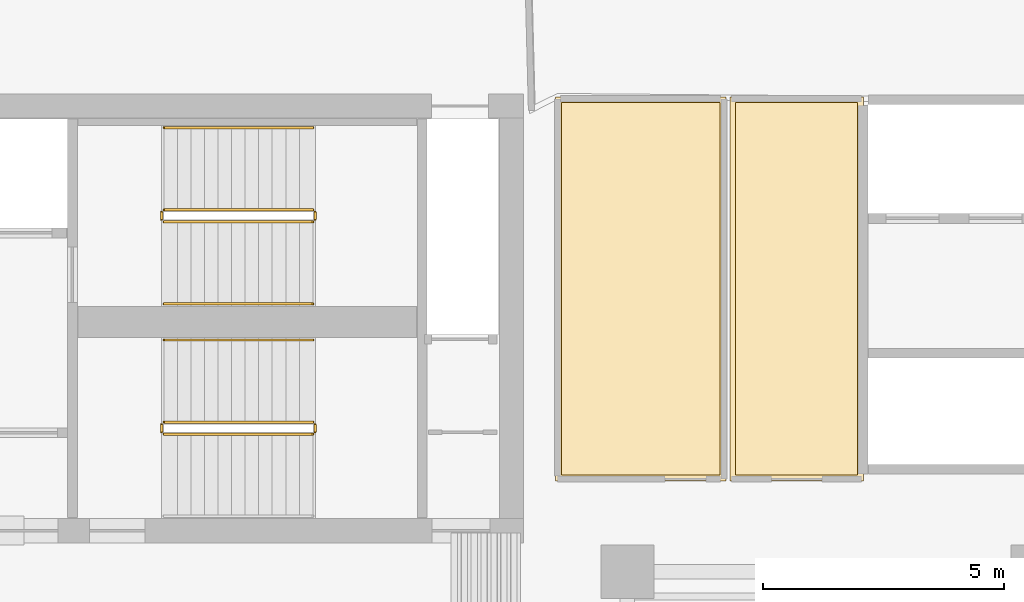
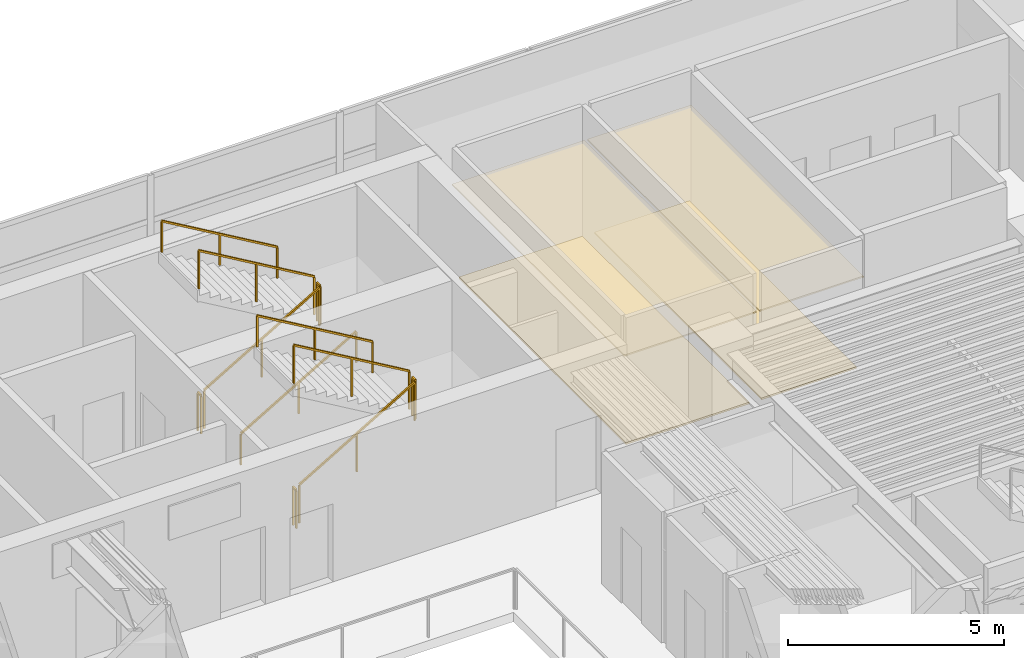
# One storey, part 12 of 13: 11 railings, 4 coverings.
"""IFC4 building model written with IfcOpenShell, lengths in metres."""

from ifc_helpers import new_model, si_unit, direction, frame, origin, origin_2d, place, context, subcontext, project, spatial, polyline, rectangle, outline, extrude, material, layer, layer_set, type_object, element, save


model = new_model("IFC4")

# Units and contexts
model_context = context("Model", 3, precision=1e-05, world=origin(), true_north=direction((0.0, 1.0)))
body_context = subcontext(model_context, "Body", "Model", "MODEL_VIEW")
ifc_project = project(units=[si_unit("LENGTHUNIT", "METRE"), si_unit("AREAUNIT", "SQUARE_METRE"), si_unit("VOLUMEUNIT", "CUBIC_METRE"), si_unit("PLANEANGLEUNIT", "RADIAN"), si_unit("MASSUNIT", "GRAM", prefix="KILO")], contexts=[model_context])

# Site, building, storey
site_placement = place(None, origin())
site = spatial("IfcSite", under=ifc_project, at=site_placement, CompositionType="ELEMENT")
building_placement = place(site_placement, origin())
building = spatial("IfcBuilding", under=site, at=building_placement, Name="Caeloran Harvest Quay", CompositionType="ELEMENT")
storey_placement = place(building_placement, frame((0.0, 0.0, 162.75)))
storey = spatial("IfcBuildingStorey", under=building, at=storey_placement, Name="L38", CompositionType="ELEMENT", Elevation=162.75)

# Coverings
ifc_material_1 = material(Name="Perforated Mineral-Fibre Acoustic Ceiling Tile", Category="ceiling")
ifc_layer_1 = layer(ifc_material_1, 0.0400390625, Name="Perforated Mineral-Fibre Acoustic Ceiling Tile")
ifc_layer_set_1 = layer_set([ifc_layer_1], Name="Perforated Mineral-Fibre Acoustic Ceiling Tile")
covering_type_1 = type_object("IfcCoveringType", Name="COV-CEILING-ACOUSTIC", PredefinedType="CEILING", material=ifc_layer_set_1)
covering_1_placement = place(storey_placement, frame((0.0, 0.0, 2.60009765625)))
element("IfcCovering", 1, at=covering_1_placement, inside=storey, type_object=covering_type_1, Name="L38 Bioinformatics Briefing Lounge Acoustic Ceiling", PredefinedType="CEILING", context=body_context, shape_type="SweptSolid", body=[
    extrude(outline(polyline([(27.5400390625, 40.840087890625), (27.5400390625, 32.8798828125), (24.010009765625, 32.8798828125), (24.010009765625, 40.840087890625), (27.5400390625, 40.840087890625)])), origin(), (0.0, 0.0, 1.0), 0.039794921875),
])
covering_2_placement = place(storey_placement, frame((0.0, 0.0, 2.60009765625)))
element("IfcCovering", 2, at=covering_2_placement, inside=storey, type_object=covering_type_1, Name="L38 Seed Imaging Laboratory Acoustic Ceiling", PredefinedType="CEILING", context=body_context, shape_type="SweptSolid", body=[
    extrude(outline(polyline([(30.389892578125, 40.840087890625), (30.389892578125, 32.8798828125), (27.6201171875, 32.8798828125), (27.6201171875, 40.840087890625), (30.389892578125, 40.840087890625)])), origin(), (0.0, 0.0, 1.0), 0.039794921875),
])
ifc_material_2 = material(Name="Calcium-Sulphate Raised Access Floor and Terrazzo Finish", Category="flooring")
ifc_layer_2 = layer(ifc_material_2, 0.050048828125, Name="Calcium-Sulphate Raised Access Floor and Terrazzo Finish")
ifc_layer_set_2 = layer_set([ifc_layer_2], Name="Calcium-Sulphate Raised Access Floor and Terrazzo Finish")
covering_type_2 = type_object("IfcCoveringType", Name="COV-FLOOR-RAISED", PredefinedType="FLOORING", material=ifc_layer_set_2)
covering_3_placement = place(storey_placement, origin())
element("IfcCovering", 3, at=covering_3_placement, inside=storey, type_object=covering_type_2, Name="L38 Bioinformatics Briefing Lounge Raised Finish Flooring", PredefinedType="FLOORING", context=body_context, shape_type="SweptSolid", body=[
    extrude(outline(polyline([(27.419921875, 40.719970703125), (27.419921875, 33.0), (24.1298828125, 33.0), (24.1298828125, 40.719970703125), (27.419921875, 40.719970703125)])), origin(), (0.0, 0.0, 1.0), 0.050048828125),
])
covering_4_placement = place(storey_placement, origin())
element("IfcCovering", 4, at=covering_4_placement, inside=storey, type_object=covering_type_2, Name="L38 Seed Imaging Laboratory Raised Finish Flooring", PredefinedType="FLOORING", context=body_context, shape_type="SweptSolid", body=[
    extrude(outline(polyline([(30.27001953125, 40.719970703125), (30.27001953125, 33.0), (27.739990234375, 33.0), (27.739990234375, 40.719970703125), (30.27001953125, 40.719970703125)])), origin(), (0.0, 0.0, 1.0), 0.050048828125),
])

# Railings
ifc_material_3 = material(Name="Painted Steel Baluster and Top-Rail Stair Guard", Category="steel")
ifc_layer_3 = layer(ifc_material_3, 0.050048828125, Name="Painted Steel Baluster and Top-Rail Stair Guard")
ifc_layer_set_3 = layer_set([ifc_layer_3], Name="Painted Steel Baluster and Top-Rail Stair Guard")
railing_type_1 = type_object("IfcRailingType", Name="STAIR-GUARD-1100", PredefinedType="GUARDRAIL", material=ifc_layer_set_3)
railing_1_placement = place(storey_placement, frame((15.89990234375, 38.25, 0.16455078125)))
element("IfcRailing", 5, at=railing_1_placement, inside=storey, type_object=railing_type_1, Name="L38 ST-C1 stair guard 1", PredefinedType="GUARDRAIL", context=body_context, shape_type="SweptSolid", body=[
    extrude(rectangle(XDim=0.048095703125, YDim=0.048095703125, at=origin_2d()), frame((0.0, 0.0, 1.076171875), z_axis=(0.862088758681, 0.0, 0.506757310905), x_axis=(0.0, 1.0, 0.0)), (0.0, 0.0, 1.0), 3.57275390625),
    extrude(rectangle(XDim=0.0419921875, YDim=0.0419921875, at=origin_2d()), origin(), (0.0, 0.0, 1.0), 1.052001953125),
    extrude(rectangle(XDim=0.0419921875, YDim=0.0419921875, at=origin_2d()), frame((1.5400390625, 0.0, 0.9052734375)), (0.0, 0.0, 1.0), 1.052001953125),
    extrude(rectangle(XDim=0.0419921875, YDim=0.0419921875, at=origin_2d()), frame((3.080078125, 0.0, 1.810546875)), (0.0, 0.0, 1.0), 1.052001953125),
])
railing_2_placement = place(storey_placement, frame((19.030029296875, 38.300048828125, 1.97509765625)))
element("IfcRailing", 6, at=railing_2_placement, inside=storey, type_object=railing_type_1, Name="L38 ST-C1 stair guard 2", PredefinedType="GUARDRAIL", context=body_context, shape_type="SweptSolid", body=[
    extrude(rectangle(XDim=0.048095703125, YDim=0.048095703125, at=origin_2d()), frame((0.0, 0.0, 1.076171875), z_axis=(0.0, 1.0, 0.0), x_axis=(-1.0, 0.0, 0.0)), (0.0, 0.0, 1.0), 0.14990234375),
    extrude(rectangle(XDim=0.0419921875, YDim=0.0419921875, at=origin_2d()), origin(), (0.0, 0.0, 1.0), 1.052001953125),
    extrude(rectangle(XDim=0.0419921875, YDim=0.0419921875, at=origin_2d()), frame((0.0, 0.14990234375, 0.0)), (0.0, 0.0, 1.0), 1.052001953125),
])
railing_3_placement = place(storey_placement, frame((18.97998046875, 38.5, 2.1396484375)))
element("IfcRailing", 7, at=railing_3_placement, inside=storey, type_object=railing_type_1, Name="L38 ST-C1 stair guard 3", PredefinedType="GUARDRAIL", context=body_context, shape_type="SweptSolid", body=[
    extrude(rectangle(XDim=0.048095703125, YDim=0.048095703125, at=origin_2d()), frame((0.0, 0.0, 1.076171875), z_axis=(-0.862118610829, 0.0, 0.506706523406), x_axis=(0.0, -1.0, 0.0)), (0.0, 0.0, 1.0), 3.57275390625),
    extrude(rectangle(XDim=0.0419921875, YDim=0.0419921875, at=origin_2d()), origin(), (0.0, 0.0, 1.0), 1.052001953125),
    extrude(rectangle(XDim=0.0419921875, YDim=0.0419921875, at=origin_2d()), frame((-1.5400390625, 0.0, 0.9052734375)), (0.0, 0.0, 1.0), 1.052001953125),
    extrude(rectangle(XDim=0.0419921875, YDim=0.0419921875, at=origin_2d()), frame((-3.080078125, 0.0, 1.810302734375)), (0.0, 0.0, 1.0), 1.052001953125),
])
railing_4_placement = place(storey_placement, frame((15.85009765625, 38.300048828125, 0.0)))
element("IfcRailing", 8, at=railing_4_placement, inside=storey, type_object=railing_type_1, Name="L38 ST-C1 stair guard 4", PredefinedType="GUARDRAIL", context=body_context, shape_type="SweptSolid", body=[
    extrude(rectangle(XDim=0.048095703125, YDim=0.048095703125, at=origin_2d()), frame((0.0, 0.0, 1.076171875), z_axis=(0.0, 1.0, 0.0), x_axis=(-1.0, 0.0, 0.0)), (0.0, 0.0, 1.0), 0.14990234375),
    extrude(rectangle(XDim=0.0419921875, YDim=0.0419921875, at=origin_2d()), origin(), (0.0, 0.0, 1.0), 1.052001953125),
    extrude(rectangle(XDim=0.0419921875, YDim=0.0419921875, at=origin_2d()), frame((0.0, 0.14990234375, 0.0)), (0.0, 0.0, 1.0), 1.052001953125),
])
railing_5_placement = place(storey_placement, frame((15.89990234375, 33.85009765625, 0.16455078125)))
element("IfcRailing", 9, at=railing_5_placement, inside=storey, type_object=railing_type_1, Name="L38 ST-C2 stair guard 1", PredefinedType="GUARDRAIL", context=body_context, shape_type="SweptSolid", body=[
    extrude(rectangle(XDim=0.048095703125, YDim=0.048095703125, at=origin_2d()), frame((0.0, 0.0, 1.076171875), z_axis=(0.862088758681, 0.0, 0.506757310905), x_axis=(0.0, 1.0, 0.0)), (0.0, 0.0, 1.0), 3.57275390625),
    extrude(rectangle(XDim=0.0419921875, YDim=0.0419921875, at=origin_2d()), origin(), (0.0, 0.0, 1.0), 1.052001953125),
    extrude(rectangle(XDim=0.0419921875, YDim=0.0419921875, at=origin_2d()), frame((1.5400390625, 0.0, 0.9052734375)), (0.0, 0.0, 1.0), 1.052001953125),
    extrude(rectangle(XDim=0.0419921875, YDim=0.0419921875, at=origin_2d()), frame((3.080078125, 0.0, 1.810546875)), (0.0, 0.0, 1.0), 1.052001953125),
])
railing_6_placement = place(storey_placement, frame((19.030029296875, 33.89990234375, 1.97509765625)))
element("IfcRailing", 10, at=railing_6_placement, inside=storey, type_object=railing_type_1, Name="L38 ST-C2 stair guard 2", PredefinedType="GUARDRAIL", context=body_context, shape_type="SweptSolid", body=[
    extrude(rectangle(XDim=0.048095703125, YDim=0.048095703125, at=origin_2d()), frame((0.0, 0.0, 1.076171875), z_axis=(0.0, 1.0, 0.0), x_axis=(-1.0, 0.0, 0.0)), (0.0, 0.0, 1.0), 0.150146484375),
    extrude(rectangle(XDim=0.0419921875, YDim=0.0419921875, at=origin_2d()), origin(), (0.0, 0.0, 1.0), 1.052001953125),
    extrude(rectangle(XDim=0.0419921875, YDim=0.0419921875, at=origin_2d()), frame((0.0, 0.150146484375, 0.0)), (0.0, 0.0, 1.0), 1.052001953125),
])
railing_7_placement = place(storey_placement, frame((18.97998046875, 34.10009765625, 2.1396484375)))
element("IfcRailing", 11, at=railing_7_placement, inside=storey, type_object=railing_type_1, Name="L38 ST-C2 stair guard 3", PredefinedType="GUARDRAIL", context=body_context, shape_type="SweptSolid", body=[
    extrude(rectangle(XDim=0.048095703125, YDim=0.048095703125, at=origin_2d()), frame((0.0, 0.0, 1.076171875), z_axis=(-0.862118610829, 0.0, 0.506706523406), x_axis=(0.0, -1.0, 0.0)), (0.0, 0.0, 1.0), 3.57275390625),
    extrude(rectangle(XDim=0.0419921875, YDim=0.0419921875, at=origin_2d()), origin(), (0.0, 0.0, 1.0), 1.052001953125),
    extrude(rectangle(XDim=0.0419921875, YDim=0.0419921875, at=origin_2d()), frame((-1.5400390625, 0.0, 0.9052734375)), (0.0, 0.0, 1.0), 1.052001953125),
    extrude(rectangle(XDim=0.0419921875, YDim=0.0419921875, at=origin_2d()), frame((-3.080078125, 0.0, 1.810302734375)), (0.0, 0.0, 1.0), 1.052001953125),
])
railing_8_placement = place(storey_placement, frame((15.85009765625, 33.89990234375, 0.0)))
element("IfcRailing", 12, at=railing_8_placement, inside=storey, type_object=railing_type_1, Name="L38 ST-C2 stair guard 4", PredefinedType="GUARDRAIL", context=body_context, shape_type="SweptSolid", body=[
    extrude(rectangle(XDim=0.048095703125, YDim=0.048095703125, at=origin_2d()), frame((0.0, 0.0, 1.076171875), z_axis=(0.0, 1.0, 0.0), x_axis=(-1.0, 0.0, 0.0)), (0.0, 0.0, 1.0), 0.150146484375),
    extrude(rectangle(XDim=0.0419921875, YDim=0.0419921875, at=origin_2d()), origin(), (0.0, 0.0, 1.0), 1.052001953125),
    extrude(rectangle(XDim=0.0419921875, YDim=0.0419921875, at=origin_2d()), frame((0.0, 0.150146484375, 0.0)), (0.0, 0.0, 1.0), 1.052001953125),
])
ifc_material_4 = material(Name="Brushed Stainless Steel Grade 304", Category="steel")
ifc_layer_4 = layer(ifc_material_4, 0.050048828125, Name="Brushed Stainless Steel Grade 304")
ifc_layer_set_4 = layer_set([ifc_layer_4], Name="Brushed Stainless Steel Grade 304")
railing_type_2 = type_object("IfcRailingType", Name="STAIR-HANDRAIL-900", PredefinedType="HANDRAIL", material=ifc_layer_set_4)
railing_9_placement = place(storey_placement, frame((15.89990234375, 36.550048828125, 0.16455078125)))
element("IfcRailing", 13, at=railing_9_placement, inside=storey, type_object=railing_type_2, Name="L38 ST-C1 stair handrail 1", PredefinedType="HANDRAIL", context=body_context, shape_type="SweptSolid", body=[
    extrude(rectangle(XDim=0.048095703125, YDim=0.048095703125, at=origin_2d()), frame((0.0, 0.0, 0.8759765625), z_axis=(0.862088758681, 0.0, 0.506757310905), x_axis=(0.0, 1.0, 0.0)), (0.0, 0.0, 1.0), 3.57275390625),
    extrude(rectangle(XDim=0.0419921875, YDim=0.0419921875, at=origin_2d()), origin(), (0.0, 0.0, 1.0), 0.851806640625),
    extrude(rectangle(XDim=0.0419921875, YDim=0.0419921875, at=origin_2d()), frame((1.5400390625, 0.0, 0.9052734375)), (0.0, 0.0, 1.0), 0.851806640625),
    extrude(rectangle(XDim=0.0419921875, YDim=0.0419921875, at=origin_2d()), frame((3.080078125, 0.0, 1.810546875)), (0.0, 0.0, 1.0), 0.851806640625),
])
for number, where, name in (
    (14, (18.97998046875, 40.199951171875, 2.1396484375), "L38 ST-C1 stair handrail 2"),
    (15, (18.97998046875, 35.800048828125, 2.1396484375), "L38 ST-C2 stair handrail 2"),
):
    element("IfcRailing", number, at=place(storey_placement, frame(where)), inside=storey, type_object=railing_type_2, Name=name, PredefinedType="HANDRAIL", context=body_context, shape_type="SweptSolid", body=[
        extrude(rectangle(XDim=0.048095703125, YDim=0.048095703125, at=origin_2d()), frame((0.0, 0.0, 0.8759765625), z_axis=(-0.862118610829, 0.0, 0.506706523406), x_axis=(0.0, -1.0, 0.0)), (0.0, 0.0, 1.0), 3.57275390625),
        extrude(rectangle(XDim=0.0419921875, YDim=0.0419921875, at=origin_2d()), origin(), (0.0, 0.0, 1.0), 0.851806640625),
        extrude(rectangle(XDim=0.0419921875, YDim=0.0419921875, at=origin_2d()), frame((-1.5400390625, 0.0, 0.9052734375)), (0.0, 0.0, 1.0), 0.851806640625),
        extrude(rectangle(XDim=0.0419921875, YDim=0.0419921875, at=origin_2d()), frame((-3.080078125, 0.0, 1.810302734375)), (0.0, 0.0, 1.0), 0.851806640625),
    ])

save(model, "model.ifc")
